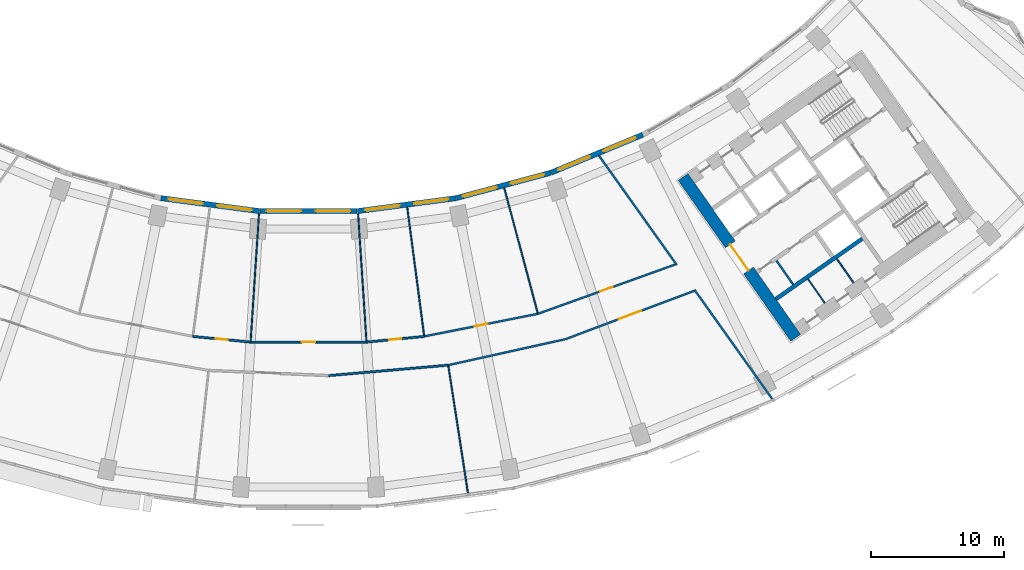
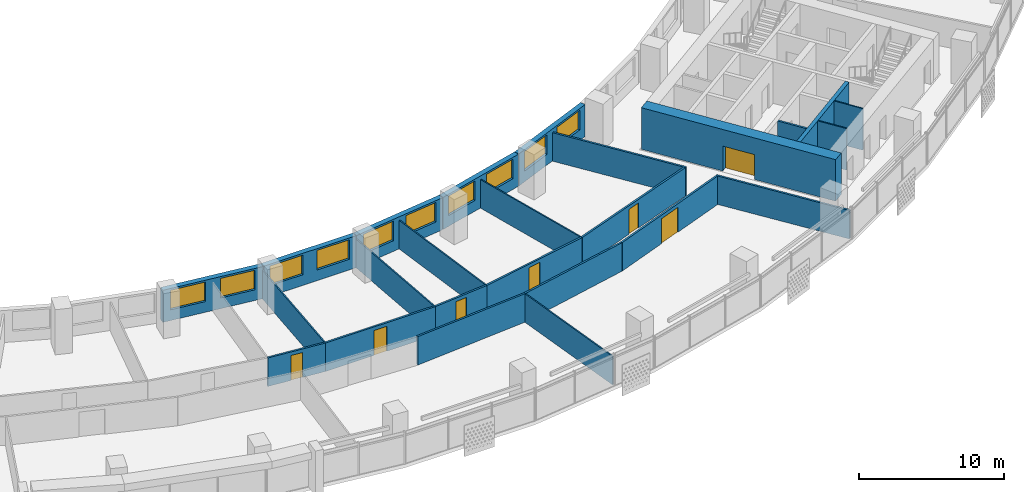
# One storey, part 6 of 29: 25 walls, 10 windows, 7 doors, 17 openings.
"""IFC4 building model written with IfcOpenShell, lengths in metres."""

from ifc_helpers import new_model, si_unit, direction, frame, frame_2d, origin, place, context, subcontext, project, spatial, rectangle, extrude, material, layer, layer_set, type_object, element, fill, save


model = new_model("IFC4")

# Units and contexts
model_context = context("Model", 3, precision=1e-05, world=origin(), true_north=direction((0.0, 1.0)))
body_context = subcontext(model_context, "Body", "Model", "MODEL_VIEW")
ifc_project = project(units=[si_unit("LENGTHUNIT", "METRE"), si_unit("AREAUNIT", "SQUARE_METRE"), si_unit("VOLUMEUNIT", "CUBIC_METRE"), si_unit("PLANEANGLEUNIT", "RADIAN"), si_unit("MASSUNIT", "GRAM", prefix="KILO")], contexts=[model_context])

# Site, building, storey
site_placement = place(None, origin())
site = spatial("IfcSite", under=ifc_project, at=site_placement, CompositionType="ELEMENT")
building_placement = place(site_placement, origin())
building = spatial("IfcBuilding", under=site, at=building_placement, Name="Qamariyya Broadcast Tower", CompositionType="ELEMENT")
storey_placement = place(building_placement, frame((0.0, 0.0, 106.300048828125)))
storey = spatial("IfcBuildingStorey", under=building, at=storey_placement, Name="L23", CompositionType="ELEMENT", Elevation=106.300048828125)

# Wall, opening, door
ifc_material_1 = material(Name="Concrete C70/85", Category="concrete")
ifc_layer_1 = layer(ifc_material_1, 0.89990234375)
ifc_layer_set_1 = layer_set([ifc_layer_1], Name="Core wall 900 mm Concrete C70/85")
wall_type_1 = type_object("IfcWallType", Name="Core wall 900 mm Concrete C70/85", PredefinedType="SHEAR", material=ifc_layer_set_1)
wall_1_placement = place(storey_placement, frame((36.716796875, -66.3369140625, 0.0), z_axis=(0.0, 0.0, 1.0), x_axis=(-0.573577477574, 0.819151315216, 0.0)))
wall_1 = element("IfcWall", 1, at=wall_1_placement, inside=storey, type_object=wall_type_1, Name="k-E-L23-WA", PredefinedType="SHEAR", context=body_context, shape_type="SweptSolid", body=[
    extrude(rectangle(XDim=14.800048828125, YDim=0.89990234375, at=frame_2d((7.39990234375, 0.0))), origin(), (0.0, 0.0, 1.0), 3.5),
])
opening_1_placement = place(wall_1_placement, frame((6.199951171875, 0.0, 0.0)))
opening_1 = element("IfcOpeningElement", 2, at=opening_1_placement, cuts=wall_1, Name="Opening KD3-E1", PredefinedType="OPENING", context=body_context, shape_type="SweptSolid", body=[
    extrude(rectangle(XDim=2.39990234375, YDim=2.10009765625, at=frame_2d((1.199951171875, 1.050048828125))), frame((0.0, 0.4599609375, 0.0), z_axis=(0.0, -1.0, 0.0), x_axis=(1.0, 0.0, 0.0)), (0.0, 0.0, 1.0), 0.919921875),
])
ifc_material_2 = material(Name="Steel fire-resisting door leaf", Category="steel")
door_type_1 = type_object("IfcDoorType", Name="Lift lobby door KD3", OperationType="DOUBLE_DOOR_SINGLE_SWING", PredefinedType="DOOR", material=ifc_material_2)
door_1_placement = place(opening_1_placement, origin())
door_1 = element("IfcDoor", 3, at=door_1_placement, inside=storey, type_object=door_type_1, Name="k-E-L23-WA-D1", OperationType="DOUBLE_DOOR_SINGLE_SWING", OverallHeight=2.10009765625, OverallWidth=2.39990234375, PredefinedType="DOOR", context=body_context, shape_type="SweptSolid", body=[
    extrude(rectangle(XDim=2.39990234375, YDim=2.10009765625, at=frame_2d((1.199951171875, 1.050048828125))), frame((0.0, 0.02490234375, 0.0), z_axis=(0.0, -1.0, 0.0), x_axis=(1.0, 0.0, 0.0)), (0.0, 0.0, 1.0), 0.050048828125),
])
fill(opening_1, door_1)

ifc_material_3 = material(Name="Gypsum board partition")
ifc_layer_2 = layer(ifc_material_3, 0.14990234375)
ifc_layer_set_2 = layer_set([ifc_layer_2], Name="Corridor partition 150 EI 60")
wall_type_2 = type_object("IfcWallType", Name="Corridor partition 150 EI 60", PredefinedType="PARTITIONING", material=ifc_layer_set_2)
wall_2_placement = place(storey_placement, frame((-8.71923828125, -66.228515625, 0.0), z_axis=(0.0, 0.0, 1.0), x_axis=(0.995184826457, -0.098016127192, 0.0)))
wall_2 = element("IfcWall", 4, at=wall_2_placement, inside=storey, type_object=wall_type_2, Name="Partition L23-011", PredefinedType="PARTITIONING", context=body_context, shape_type="SweptSolid", body=[
    extrude(rectangle(XDim=4.371337890625, YDim=0.14990234375, at=frame_2d((2.185546875, 0.0))), origin(), (0.0, 0.0, 1.0), 2.39990234375),
])
opening_2_placement = place(wall_2_placement, frame((1.735595703125, 0.0, 0.0)))
opening_2 = element("IfcOpeningElement", 5, at=opening_2_placement, cuts=wall_2, Name="Opening L23-D07", PredefinedType="OPENING", context=body_context, shape_type="SweptSolid", body=[
    extrude(rectangle(XDim=0.89990234375, YDim=2.10009765625, at=frame_2d((0.449951171875, 1.050048828125))), frame((0.0, 0.0849609375, 0.0), z_axis=(0.0, -1.0, 0.0), x_axis=(1.0, 0.0, 0.0)), (0.0, 0.0, 1.0), 0.169921875),
])
ifc_material_4 = material(Name="Timber fire door leaf", Category="wood")
door_type_2 = type_object("IfcDoorType", Name="Fire door 900 x 2100 FD60", OperationType="NOTDEFINED", PredefinedType="DOOR", material=ifc_material_4)
door_2_placement = place(opening_2_placement, origin())
door_2 = element("IfcDoor", 6, at=door_2_placement, inside=storey, type_object=door_type_2, Name="Door L23-D07", OperationType="SINGLE_SWING_RIGHT", OverallHeight=2.10009765625, OverallWidth=0.89990234375, PredefinedType="DOOR", context=body_context, shape_type="SweptSolid", body=[
    extrude(rectangle(XDim=0.89990234375, YDim=2.10009765625, at=frame_2d((0.449951171875, 1.050048828125))), frame((0.0, 0.02490234375, 0.0), z_axis=(0.0, -1.0, 0.0), x_axis=(1.0, 0.0, 0.0)), (0.0, 0.0, 1.0), 0.050048828125),
])
fill(opening_2, door_2)

wall_3_placement = place(storey_placement, frame((-4.368896484375, -66.656982421875, 0.0), z_axis=(0.0, 0.0, 1.0), x_axis=(1.0, 0.0, 0.0)))
wall_3 = element("IfcWall", 7, at=wall_3_placement, inside=storey, type_object=wall_type_2, Name="Partition L23-015", PredefinedType="PARTITIONING", context=body_context, shape_type="SweptSolid", body=[
    extrude(rectangle(XDim=8.73779296875, YDim=0.14990234375, at=frame_2d((4.368896484375, 0.0))), origin(), (0.0, 0.0, 1.0), 2.39990234375),
])
opening_3_placement = place(wall_3_placement, frame((3.868896484375, 0.0, 0.0)))
opening_3 = element("IfcOpeningElement", 8, at=opening_3_placement, cuts=wall_3, Name="Opening L23-D08", PredefinedType="OPENING", context=body_context, shape_type="SweptSolid", body=[
    extrude(rectangle(XDim=1.0, YDim=2.10009765625, at=frame_2d((0.5, 1.050048828125))), frame((0.0, 0.0849609375, 0.0), z_axis=(0.0, -1.0, 0.0), x_axis=(1.0, 0.0, 0.0)), (0.0, 0.0, 1.0), 0.169921875),
])
door_type_3 = type_object("IfcDoorType", Name="Fire door 1000 x 2100 FD60", OperationType="NOTDEFINED", PredefinedType="DOOR", material=ifc_material_4)
door_3_placement = place(opening_3_placement, origin())
door_3 = element("IfcDoor", 9, at=door_3_placement, inside=storey, type_object=door_type_3, Name="Door L23-D08", OperationType="SINGLE_SWING_RIGHT", OverallHeight=2.10009765625, OverallWidth=1.0, PredefinedType="DOOR", context=body_context, shape_type="SweptSolid", body=[
    extrude(rectangle(XDim=1.0, YDim=2.10009765625, at=frame_2d((0.5, 1.050048828125))), frame((0.0, 0.02490234375, 0.0), z_axis=(0.0, -1.0, 0.0), x_axis=(1.0, 0.0, 0.0)), (0.0, 0.0, 1.0), 0.050048828125),
])
fill(opening_3, door_3)

# Wall
wall_4_placement = place(storey_placement, frame((1.519287109375, -69.182861328125, 0.0), z_axis=(0.0, 0.0, 1.0), x_axis=(0.996191402343, 0.087193405131, 0.0)))
element("IfcWall", 10, at=wall_4_placement, inside=storey, type_object=wall_type_2, Name="Partition L23-017", PredefinedType="PARTITIONING", context=body_context, shape_type="SweptSolid", body=[
    extrude(rectangle(XDim=9.0439453125, YDim=0.14990234375, at=frame_2d((4.52197265625, 0.0))), origin(), (0.0, 0.0, 1.0), 2.39990234375),
])

# Wall, opening, door
wall_5_placement = place(storey_placement, frame((4.368896484375, -66.656982421875, 0.0), z_axis=(0.0, 0.0, 1.0), x_axis=(0.995184826457, 0.098016127192, 0.0)))
wall_5 = element("IfcWall", 11, at=wall_5_placement, inside=storey, type_object=wall_type_2, Name="Partition L23-019", PredefinedType="PARTITIONING", context=body_context, shape_type="SweptSolid", body=[
    extrude(rectangle(XDim=4.371337890625, YDim=0.14990234375, at=frame_2d((2.185546875, 0.0))), origin(), (0.0, 0.0, 1.0), 2.39990234375),
])
opening_4_placement = place(wall_5_placement, frame((1.735595703125, 0.0, 0.0)))
opening_4 = element("IfcOpeningElement", 12, at=opening_4_placement, cuts=wall_5, Name="Opening L23-D09", PredefinedType="OPENING", context=body_context, shape_type="SweptSolid", body=[
    extrude(rectangle(XDim=0.89990234375, YDim=2.10009765625, at=frame_2d((0.449951171875, 1.050048828125))), frame((0.0, 0.0849609375, 0.0), z_axis=(0.0, -1.0, 0.0), x_axis=(1.0, 0.0, 0.0)), (0.0, 0.0, 1.0), 0.169921875),
])
door_4_placement = place(opening_4_placement, origin())
door_4 = element("IfcDoor", 13, at=door_4_placement, inside=storey, type_object=door_type_2, Name="Door L23-D09", OperationType="SINGLE_SWING_RIGHT", OverallHeight=2.10009765625, OverallWidth=0.89990234375, PredefinedType="DOOR", context=body_context, shape_type="SweptSolid", body=[
    extrude(rectangle(XDim=0.89990234375, YDim=2.10009765625, at=frame_2d((0.449951171875, 1.050048828125))), frame((0.0, 0.02490234375, 0.0), z_axis=(0.0, -1.0, 0.0), x_axis=(1.0, 0.0, 0.0)), (0.0, 0.0, 1.0), 0.050048828125),
])
fill(opening_4, door_4)

wall_6_placement = place(storey_placement, frame((8.71923828125, -66.228515625, 0.0), z_axis=(0.0, 0.0, 1.0), x_axis=(0.980786466832, 0.195084357342, 0.0)))
wall_6 = element("IfcWall", 14, at=wall_6_placement, inside=storey, type_object=wall_type_2, Name="Partition L23-021", PredefinedType="PARTITIONING", context=body_context, shape_type="SweptSolid", body=[
    extrude(rectangle(XDim=8.73779296875, YDim=0.14990234375, at=frame_2d((4.368896484375, 0.0))), origin(), (0.0, 0.0, 1.0), 2.39990234375),
])
opening_5_placement = place(wall_6_placement, frame((3.868896484375, 0.0, 0.0)))
opening_5 = element("IfcOpeningElement", 15, at=opening_5_placement, cuts=wall_6, Name="Opening L23-D10", PredefinedType="OPENING", context=body_context, shape_type="SweptSolid", body=[
    extrude(rectangle(XDim=1.0, YDim=2.10009765625, at=frame_2d((0.5, 1.050048828125))), frame((0.0, 0.0849609375, 0.0), z_axis=(0.0, -1.0, 0.0), x_axis=(1.0, 0.0, 0.0)), (0.0, 0.0, 1.0), 0.169921875),
])
door_5_placement = place(opening_5_placement, origin())
door_5 = element("IfcDoor", 16, at=door_5_placement, inside=storey, type_object=door_type_3, Name="Door L23-D10", OperationType="SINGLE_SWING_RIGHT", OverallHeight=2.10009765625, OverallWidth=1.0, PredefinedType="DOOR", context=body_context, shape_type="SweptSolid", body=[
    extrude(rectangle(XDim=1.0, YDim=2.10009765625, at=frame_2d((0.5, 1.050048828125))), frame((0.0, 0.02490234375, 0.0), z_axis=(0.0, -1.0, 0.0), x_axis=(1.0, 0.0, 0.0)), (0.0, 0.0, 1.0), 0.050048828125),
])
fill(opening_5, door_5)

# Wall
wall_7_placement = place(storey_placement, frame((10.52880859375, -68.394287109375, 0.0), z_axis=(0.0, 0.0, 1.0), x_axis=(0.97629238904, 0.216455933396, 0.0)))
element("IfcWall", 17, at=wall_7_placement, inside=storey, type_object=wall_type_2, Name="Partition L23-022", PredefinedType="PARTITIONING", context=body_context, shape_type="SweptSolid", body=[
    extrude(rectangle(XDim=9.04345703125, YDim=0.14990234375, at=frame_2d((4.521728515625, 0.0))), origin(), (0.0, 0.0, 1.0), 2.39990234375),
])

# Wall, opening, door
wall_8_placement = place(storey_placement, frame((17.2890625, -64.52392578125, 0.0), z_axis=(0.0, 0.0, 1.0), x_axis=(0.941150861554, 0.337986768669, 0.0)))
wall_8 = element("IfcWall", 18, at=wall_8_placement, inside=storey, type_object=wall_type_2, Name="Partition L23-025", PredefinedType="PARTITIONING", context=body_context, shape_type="SweptSolid", body=[
    extrude(rectangle(XDim=10.998291015625, YDim=0.14990234375, at=frame_2d((5.4990234375, 0.0))), origin(), (0.0, 0.0, 1.0), 2.39990234375),
])
opening_6_placement = place(wall_8_placement, frame((4.9990234375, 0.0, 0.0)))
opening_6 = element("IfcOpeningElement", 19, at=opening_6_placement, cuts=wall_8, Name="Opening L23-D11", PredefinedType="OPENING", context=body_context, shape_type="SweptSolid", body=[
    extrude(rectangle(XDim=1.0, YDim=2.10009765625, at=frame_2d((0.5, 1.050048828125))), frame((0.0, 0.0849609375, 0.0), z_axis=(0.0, -1.0, 0.0), x_axis=(1.0, 0.0, 0.0)), (0.0, 0.0, 1.0), 0.169921875),
])
door_6_placement = place(opening_6_placement, origin())
door_6 = element("IfcDoor", 20, at=door_6_placement, inside=storey, type_object=door_type_3, Name="Door L23-D11", OperationType="SINGLE_SWING_RIGHT", OverallHeight=2.10009765625, OverallWidth=1.0, PredefinedType="DOOR", context=body_context, shape_type="SweptSolid", body=[
    extrude(rectangle(XDim=1.0, YDim=2.10009765625, at=frame_2d((0.5, 1.050048828125))), frame((0.0, 0.02490234375, 0.0), z_axis=(0.0, -1.0, 0.0), x_axis=(1.0, 0.0, 0.0)), (0.0, 0.0, 1.0), 0.050048828125),
])
fill(opening_6, door_6)

wall_9_placement = place(storey_placement, frame((29.057373046875, -62.797607421875, 0.0), z_axis=(0.0, 0.0, 1.0), x_axis=(-0.936236021316, -0.351371758101, 0.0)))
wall_9 = element("IfcWall", 21, at=wall_9_placement, inside=storey, type_object=wall_type_2, Name="Partition L23-026", PredefinedType="PARTITIONING", context=body_context, shape_type="SweptSolid", body=[
    extrude(rectangle(XDim=10.343017578125, YDim=0.14990234375, at=frame_2d((5.17138671875, 0.0))), origin(), (0.0, 0.0, 1.0), 2.39990234375),
])
opening_7_placement = place(wall_9_placement, frame((4.271484375, 0.0, 0.0)))
opening_7 = element("IfcOpeningElement", 22, at=opening_7_placement, cuts=wall_9, Name="Opening L23-D04", PredefinedType="OPENING", context=body_context, shape_type="SweptSolid", body=[
    extrude(rectangle(XDim=1.800048828125, YDim=2.10009765625, at=frame_2d((0.89990234375, 1.050048828125))), frame((0.0, 0.0849609375, 0.0), z_axis=(0.0, -1.0, 0.0), x_axis=(1.0, 0.0, 0.0)), (0.0, 0.0, 1.0), 0.169921875),
])
door_type_4 = type_object("IfcDoorType", Name="Double fire door 1800 x 2100 FD60", OperationType="NOTDEFINED", PredefinedType="DOOR", material=ifc_material_4)
door_7_placement = place(opening_7_placement, origin())
door_7 = element("IfcDoor", 23, at=door_7_placement, inside=storey, type_object=door_type_4, Name="Door L23-D04", OperationType="DOUBLE_DOOR_SINGLE_SWING", OverallHeight=2.10009765625, OverallWidth=1.800048828125, PredefinedType="DOOR", context=body_context, shape_type="SweptSolid", body=[
    extrude(rectangle(XDim=1.800048828125, YDim=2.10009765625, at=frame_2d((0.89990234375, 1.050048828125))), frame((0.0, 0.02490234375, 0.0), z_axis=(0.0, -1.0, 0.0), x_axis=(1.0, 0.0, 0.0)), (0.0, 0.0, 1.0), 0.050048828125),
])
fill(opening_7, door_7)

# Walls
wall_10_placement = place(storey_placement, frame((21.8837890625, -52.59765625, 0.0), z_axis=(0.0, 0.0, 1.0), x_axis=(0.580016763963, -0.814604538118, 0.0)))
element("IfcWall", 24, at=wall_10_placement, inside=storey, type_object=wall_type_2, Name="Partition L23-027", PredefinedType="PARTITIONING", context=body_context, shape_type="SweptSolid", body=[
    extrude(rectangle(XDim=10.12109375, YDim=0.14990234375, at=frame_2d((5.060546875, 0.0))), origin(), (0.0, 0.0, 1.0), 2.39990234375),
])
wall_11_placement = place(storey_placement, frame((29.083984375, -62.710205078125, 0.0), z_axis=(0.0, 0.0, 1.0), x_axis=(0.580031092611, -0.814594335608, 0.0)))
element("IfcWall", 25, at=wall_11_placement, inside=storey, type_object=wall_type_2, Name="Partition L23-028", PredefinedType="PARTITIONING", context=body_context, shape_type="SweptSolid", body=[
    extrude(rectangle(XDim=10.126220703125, YDim=0.14990234375, at=frame_2d((5.06298828125, 0.0))), origin(), (0.0, 0.0, 1.0), 2.39990234375),
])
ifc_material_5 = material(Name="Gypsum board partition on steel studs", Category="steel")
ifc_layer_3 = layer(ifc_material_5, 0.14990234375)
ifc_layer_set_3 = layer_set([ifc_layer_3], Name="Gypsum board partition 150 mm")
wall_type_3 = type_object("IfcWallType", Name="Gypsum board partition 150 mm", PredefinedType="PARTITIONING", material=ifc_layer_set_3)
wall_12_placement = place(storey_placement, frame((35.26611328125, -60.5166015625, 0.0), z_axis=(0.0, 0.0, 1.0), x_axis=(0.573559170999, -0.819164133348, 0.0)))
element("IfcWall", 26, at=wall_12_placement, inside=storey, type_object=wall_type_3, Name="k-E-L23-SC170", PredefinedType="PARTITIONING", context=body_context, shape_type="SweptSolid", body=[
    extrude(rectangle(XDim=2.19970703125, YDim=0.14990234375, at=frame_2d((1.099853515625, 0.0))), origin(), (0.0, 0.0, 1.0), 3.5),
])
ifc_material_6 = material(Name="Concrete C60/75", Category="concrete")
ifc_layer_4 = layer(ifc_material_6, 0.300048828125)
ifc_layer_set_4 = layer_set([ifc_layer_4], Name="Lift shaft wall 300 mm Concrete C60/75")
wall_type_4 = type_object("IfcWallType", Name="Lift shaft wall 300 mm Concrete C60/75", PredefinedType="SOLIDWALL", material=ifc_layer_set_4)
wall_13_placement = place(storey_placement, frame((35.22119140625, -63.41650390625, 0.0), z_axis=(0.0, 0.0, 1.0), x_axis=(0.819166993208, 0.573555086491, 0.0)))
element("IfcWall", 27, at=wall_13_placement, inside=storey, type_object=wall_type_4, Name="k-E-L23-SB0", PredefinedType="SOLIDWALL", context=body_context, shape_type="SweptSolid", body=[
    extrude(rectangle(XDim=7.9501953125, YDim=0.300048828125, at=frame_2d((3.97509765625, 0.0))), origin(), (0.0, 0.0, 1.0), 3.5),
])
ifc_layer_5 = layer(ifc_material_3, 0.10009765625)
ifc_layer_set_5 = layer_set([ifc_layer_5], Name="Partition 100")
wall_type_5 = type_object("IfcWallType", Name="Partition 100", PredefinedType="PARTITIONING", material=ifc_layer_set_5)
for number, where, z_axis, x_axis, name in (
    (28, (-3.734619140625, -56.977783203125, 0.0), (0.0, 0.0, 1.0), (-0.065392665599, -0.997859609006, 0.0), "Partition L23-016"),
    (29, (3.734619140625, -56.977783203125, 0.0), (0.0, 0.0, 1.0), (0.065392665599, -0.997859609006, 0.0), "Partition L23-018"),
):
    element("IfcWall", number, at=place(storey_placement, frame(where, z_axis=z_axis, x_axis=x_axis)), inside=storey, type_object=wall_type_5, Name=name, PredefinedType="PARTITIONING", context=body_context, shape_type="SweptSolid", body=[
        extrude(rectangle(XDim=9.624755859375, YDim=0.10009765625, at=frame_2d((4.8125, 0.0))), origin(), (0.0, 0.0, 1.0), 2.39990234375),
    ])
wall_14_placement = place(storey_placement, frame((7.437255859375, -56.4912109375, 0.0), z_axis=(0.0, 0.0, 1.0), x_axis=(0.13053421433, -0.99144380521, 0.0)))
element("IfcWall", 30, at=wall_14_placement, inside=storey, type_object=wall_type_5, Name="Partition L23-020", PredefinedType="PARTITIONING", context=body_context, shape_type="SweptSolid", body=[
    extrude(rectangle(XDim=9.746337890625, YDim=0.10009765625, at=frame_2d((4.873046875, 0.0))), origin(), (0.0, 0.0, 1.0), 2.39990234375),
])
wall_15_placement = place(storey_placement, frame((12.01220703125, -78.030029296875, 0.0), z_axis=(0.0, 0.0, 1.0), x_axis=(-0.152150105958, 0.988357397532, 0.0)))
element("IfcWall", 31, at=wall_15_placement, inside=storey, type_object=wall_type_5, Name="Partition L23-023", PredefinedType="PARTITIONING", context=body_context, shape_type="SweptSolid", body=[
    extrude(rectangle(XDim=9.674072265625, YDim=0.10009765625, at=frame_2d((4.8369140625, 0.0))), origin(), (0.0, 0.0, 1.0), 2.39990234375),
])
wall_16_placement = place(storey_placement, frame((14.7470703125, -55.037109375, 0.0), z_axis=(0.0, 0.0, 1.0), x_axis=(0.258833329344, -0.965921998725, 0.0)))
element("IfcWall", 32, at=wall_16_placement, inside=storey, type_object=wall_type_5, Name="Partition L23-024", PredefinedType="PARTITIONING", context=body_context, shape_type="SweptSolid", body=[
    extrude(rectangle(XDim=9.746337890625, YDim=0.10009765625, at=frame_2d((4.873046875, 0.0))), origin(), (0.0, 0.0, 1.0), 2.39990234375),
])
ifc_material_7 = material(Name="Fire-rated gypsum shaft liner on steel studs", Category="steel")
ifc_layer_6 = layer(ifc_material_7, 0.10009765625)
ifc_layer_set_6 = layer_set([ifc_layer_6], Name="Riser wall 100 mm")
wall_type_6 = type_object("IfcWallType", Name="Riser wall 100 mm", PredefinedType="PLUMBINGWALL", material=ifc_layer_set_6)
wall_17_placement = place(storey_placement, frame((37.64208984375, -61.90478515625, 0.0), z_axis=(0.0, 0.0, 1.0), x_axis=(0.573507030513, -0.819200638399, 0.0)))
element("IfcWall", 33, at=wall_17_placement, inside=storey, type_object=wall_type_6, Name="k-E-L23-SP285", PredefinedType="PLUMBINGWALL", context=body_context, shape_type="SweptSolid", body=[
    extrude(rectangle(XDim=2.199951171875, YDim=0.10009765625, at=frame_2d((1.10009765625, 0.0))), origin(), (0.0, 0.0, 1.0), 3.5),
])
wall_18_placement = place(storey_placement, frame((39.812744140625, -60.384765625, 0.0), z_axis=(0.0, 0.0, 1.0), x_axis=(0.573581496053, -0.819148501424, 0.0)))
element("IfcWall", 34, at=wall_18_placement, inside=storey, type_object=wall_type_6, Name="k-E-L23-SP550", PredefinedType="PLUMBINGWALL", context=body_context, shape_type="SweptSolid", body=[
    extrude(rectangle(XDim=2.2001953125, YDim=0.10009765625, at=frame_2d((1.10009765625, 0.0))), origin(), (0.0, 0.0, 1.0), 3.5),
])

# Wall, openings, windows
ifc_material_8 = material(Name="Terracotta", Category="masonry")
ifc_layer_7 = layer(ifc_material_8, 0.39990234375)
ifc_layer_set_7 = layer_set([ifc_layer_7], Name="Terracotta clad wall 400")
wall_type_7 = type_object("IfcWallType", Name="Terracotta clad wall 400", PredefinedType="SOLIDWALL", material=ifc_layer_set_7)
wall_19_placement = place(storey_placement, frame((11.12548828125, -55.803955078125, 0.0), z_axis=(0.0, 0.0, 1.0), x_axis=(-0.991444533306, -0.130528684121, 0.0)))
wall_19 = element("IfcWall", 35, at=wall_19_placement, inside=storey, type_object=wall_type_7, Name="e-wl-L23-in100", PredefinedType="SOLIDWALL", context=body_context, shape_type="SweptSolid", body=[
    extrude(rectangle(XDim=7.492919921875, YDim=0.39990234375, at=frame_2d((3.74658203125, 0.0))), origin(), (0.0, 0.0, 1.0), 2.699951171875),
])
opening_8_placement = place(wall_19_placement, frame((4.300537109375, 0.0, 0.89990234375)))
opening_8 = element("IfcOpeningElement", 36, at=opening_8_placement, cuts=wall_19, Name="Opening W1", PredefinedType="OPENING", context=body_context, shape_type="SweptSolid", body=[
    extrude(rectangle(XDim=2.60009765625, YDim=1.64990234375, at=frame_2d((1.300048828125, 0.824951171875))), frame((0.0, 0.2099609375, 0.0), z_axis=(0.0, -1.0, 0.0), x_axis=(1.0, 0.0, 0.0)), (0.0, 0.0, 1.0), 0.419921875),
])
opening_9_placement = place(wall_19_placement, frame((0.59228515625, 0.0, 0.89990234375)))
opening_9 = element("IfcOpeningElement", 37, at=opening_9_placement, cuts=wall_19, Name="Opening W1", PredefinedType="OPENING", context=body_context, shape_type="SweptSolid", body=[
    extrude(rectangle(XDim=2.60009765625, YDim=1.64990234375, at=frame_2d((1.300048828125, 0.824951171875))), frame((0.0, 0.2099609375, 0.0), z_axis=(0.0, -1.0, 0.0), x_axis=(1.0, 0.0, 0.0)), (0.0, 0.0, 1.0), 0.419921875),
])
ifc_material_9 = material(Name="Clear low-e double glazed unit in aluminium frame", Category="aluminium")
window_type = type_object("IfcWindowType", Name="Ribbon window 2600 x 1650", PartitioningType="SINGLE_PANEL", PredefinedType="WINDOW", material=ifc_material_9)
window_1_placement = place(opening_8_placement, origin())
window_1 = element("IfcWindow", 38, at=window_1_placement, inside=storey, type_object=window_type, Name="e-w-L23-in10-0", OverallHeight=1.64990234375, OverallWidth=2.60009765625, PartitioningType="SINGLE_PANEL", PredefinedType="WINDOW", context=body_context, shape_type="SweptSolid", body=[
    extrude(rectangle(XDim=2.60009765625, YDim=1.64990234375, at=frame_2d((1.300048828125, 0.824951171875))), frame((0.0, 0.030029296875, 0.0), z_axis=(0.0, -1.0, 0.0), x_axis=(1.0, 0.0, 0.0)), (0.0, 0.0, 1.0), 0.06005859375),
])
fill(opening_8, window_1)
window_2_placement = place(opening_9_placement, origin())
window_2 = element("IfcWindow", 39, at=window_2_placement, inside=storey, type_object=window_type, Name="e-w-L23-in10-1", OverallHeight=1.64990234375, OverallWidth=2.60009765625, PartitioningType="SINGLE_PANEL", PredefinedType="WINDOW", context=body_context, shape_type="SweptSolid", body=[
    extrude(rectangle(XDim=2.60009765625, YDim=1.64990234375, at=frame_2d((1.300048828125, 0.824951171875))), frame((0.0, 0.030029296875, 0.0), z_axis=(0.0, -1.0, 0.0), x_axis=(1.0, 0.0, 0.0)), (0.0, 0.0, 1.0), 0.06005859375),
])
fill(opening_9, window_2)

wall_20_placement = place(storey_placement, frame((18.240966796875, -53.893798828125, 0.0), z_axis=(0.0, 0.0, 1.0), x_axis=(-0.965924597867, -0.258823629594, 0.0)))
wall_20 = element("IfcWall", 40, at=wall_20_placement, inside=storey, type_object=wall_type_7, Name="e-wl-L23-in110", PredefinedType="SOLIDWALL", context=body_context, shape_type="SweptSolid", body=[
    extrude(rectangle(XDim=7.341552734375, YDim=0.39990234375, at=frame_2d((3.6708984375, 0.0))), origin(), (0.0, 0.0, 1.0), 2.699951171875),
])
opening_10_placement = place(wall_20_placement, frame((4.224853515625, 0.0, 0.89990234375)))
opening_10 = element("IfcOpeningElement", 41, at=opening_10_placement, cuts=wall_20, Name="Opening W1", PredefinedType="OPENING", context=body_context, shape_type="SweptSolid", body=[
    extrude(rectangle(XDim=2.60009765625, YDim=1.64990234375, at=frame_2d((1.300048828125, 0.824951171875))), frame((0.0, 0.2099609375, 0.0), z_axis=(0.0, -1.0, 0.0), x_axis=(1.0, 0.0, 0.0)), (0.0, 0.0, 1.0), 0.419921875),
])
opening_11_placement = place(wall_20_placement, frame((0.5166015625, 0.0, 0.89990234375)))
opening_11 = element("IfcOpeningElement", 42, at=opening_11_placement, cuts=wall_20, Name="Opening W1", PredefinedType="OPENING", context=body_context, shape_type="SweptSolid", body=[
    extrude(rectangle(XDim=2.60009765625, YDim=1.64990234375, at=frame_2d((1.300048828125, 0.824951171875))), frame((0.0, 0.2099609375, 0.0), z_axis=(0.0, -1.0, 0.0), x_axis=(1.0, 0.0, 0.0)), (0.0, 0.0, 1.0), 0.419921875),
])
window_3_placement = place(opening_10_placement, origin())
window_3 = element("IfcWindow", 43, at=window_3_placement, inside=storey, type_object=window_type, Name="e-w-L23-in11-0", OverallHeight=1.64990234375, OverallWidth=2.60009765625, PartitioningType="SINGLE_PANEL", PredefinedType="WINDOW", context=body_context, shape_type="SweptSolid", body=[
    extrude(rectangle(XDim=2.60009765625, YDim=1.64990234375, at=frame_2d((1.300048828125, 0.824951171875))), frame((0.0, 0.030029296875, 0.0), z_axis=(0.0, -1.0, 0.0), x_axis=(1.0, 0.0, 0.0)), (0.0, 0.0, 1.0), 0.06005859375),
])
fill(opening_10, window_3)
window_4_placement = place(opening_11_placement, origin())
window_4 = element("IfcWindow", 44, at=window_4_placement, inside=storey, type_object=window_type, Name="e-w-L23-in11-1", OverallHeight=1.64990234375, OverallWidth=2.60009765625, PartitioningType="SINGLE_PANEL", PredefinedType="WINDOW", context=body_context, shape_type="SweptSolid", body=[
    extrude(rectangle(XDim=2.60009765625, YDim=1.64990234375, at=frame_2d((1.300048828125, 0.824951171875))), frame((0.0, 0.030029296875, 0.0), z_axis=(0.0, -1.0, 0.0), x_axis=(1.0, 0.0, 0.0)), (0.0, 0.0, 1.0), 0.06005859375),
])
fill(opening_11, window_4)

wall_21_placement = place(storey_placement, frame((25.189453125, -51.02294921875, 0.0), z_axis=(0.0, 0.0, 1.0), x_axis=(-0.923879826967, -0.382682721486, 0.0)))
wall_21 = element("IfcWall", 45, at=wall_21_placement, inside=storey, type_object=wall_type_7, Name="e-wl-L23-in120", PredefinedType="SOLIDWALL", context=body_context, shape_type="SweptSolid", body=[
    extrude(rectangle(XDim=7.492919921875, YDim=0.39990234375, at=frame_2d((3.74658203125, 0.0))), origin(), (0.0, 0.0, 1.0), 2.699951171875),
])
opening_12_placement = place(wall_21_placement, frame((4.300537109375, 0.0, 0.89990234375)))
opening_12 = element("IfcOpeningElement", 46, at=opening_12_placement, cuts=wall_21, Name="Opening W1", PredefinedType="OPENING", context=body_context, shape_type="SweptSolid", body=[
    extrude(rectangle(XDim=2.60009765625, YDim=1.64990234375, at=frame_2d((1.300048828125, 0.824951171875))), frame((0.0, 0.2099609375, 0.0), z_axis=(0.0, -1.0, 0.0), x_axis=(1.0, 0.0, 0.0)), (0.0, 0.0, 1.0), 0.419921875),
])
opening_13_placement = place(wall_21_placement, frame((0.59228515625, 0.0, 0.89990234375)))
opening_13 = element("IfcOpeningElement", 47, at=opening_13_placement, cuts=wall_21, Name="Opening W1", PredefinedType="OPENING", context=body_context, shape_type="SweptSolid", body=[
    extrude(rectangle(XDim=2.60009765625, YDim=1.64990234375, at=frame_2d((1.300048828125, 0.824951171875))), frame((0.0, 0.2099609375, 0.0), z_axis=(0.0, -1.0, 0.0), x_axis=(1.0, 0.0, 0.0)), (0.0, 0.0, 1.0), 0.419921875),
])
window_5_placement = place(opening_12_placement, origin())
window_5 = element("IfcWindow", 48, at=window_5_placement, inside=storey, type_object=window_type, Name="e-w-L23-in12-0", OverallHeight=1.64990234375, OverallWidth=2.60009765625, PartitioningType="SINGLE_PANEL", PredefinedType="WINDOW", context=body_context, shape_type="SweptSolid", body=[
    extrude(rectangle(XDim=2.60009765625, YDim=1.64990234375, at=frame_2d((1.300048828125, 0.824951171875))), frame((0.0, 0.030029296875, 0.0), z_axis=(0.0, -1.0, 0.0), x_axis=(1.0, 0.0, 0.0)), (0.0, 0.0, 1.0), 0.06005859375),
])
fill(opening_12, window_5)
window_6_placement = place(opening_13_placement, origin())
window_6 = element("IfcWindow", 49, at=window_6_placement, inside=storey, type_object=window_type, Name="e-w-L23-in12-1", OverallHeight=1.64990234375, OverallWidth=2.60009765625, PartitioningType="SINGLE_PANEL", PredefinedType="WINDOW", context=body_context, shape_type="SweptSolid", body=[
    extrude(rectangle(XDim=2.60009765625, YDim=1.64990234375, at=frame_2d((1.300048828125, 0.824951171875))), frame((0.0, 0.030029296875, 0.0), z_axis=(0.0, -1.0, 0.0), x_axis=(1.0, 0.0, 0.0)), (0.0, 0.0, 1.0), 0.06005859375),
])
fill(opening_13, window_6)

wall_22_placement = place(storey_placement, frame((-3.69677734375, -56.781982421875, 0.0), z_axis=(0.0, 0.0, 1.0), x_axis=(-0.991444533306, 0.130528684121, 0.0)))
wall_22 = element("IfcWall", 50, at=wall_22_placement, inside=storey, type_object=wall_type_7, Name="e-wl-L23-in80", PredefinedType="SOLIDWALL", context=body_context, shape_type="SweptSolid", body=[
    extrude(rectangle(XDim=7.492919921875, YDim=0.39990234375, at=frame_2d((3.74658203125, 0.0))), origin(), (0.0, 0.0, 1.0), 2.699951171875),
])
opening_14_placement = place(wall_22_placement, frame((4.300537109375, 0.0, 0.89990234375)))
opening_14 = element("IfcOpeningElement", 51, at=opening_14_placement, cuts=wall_22, Name="Opening W1", PredefinedType="OPENING", context=body_context, shape_type="SweptSolid", body=[
    extrude(rectangle(XDim=2.60009765625, YDim=1.64990234375, at=frame_2d((1.300048828125, 0.824951171875))), frame((0.0, 0.2099609375, 0.0), z_axis=(0.0, -1.0, 0.0), x_axis=(1.0, 0.0, 0.0)), (0.0, 0.0, 1.0), 0.419921875),
])
opening_15_placement = place(wall_22_placement, frame((0.59228515625, 0.0, 0.89990234375)))
opening_15 = element("IfcOpeningElement", 52, at=opening_15_placement, cuts=wall_22, Name="Opening W1", PredefinedType="OPENING", context=body_context, shape_type="SweptSolid", body=[
    extrude(rectangle(XDim=2.60009765625, YDim=1.64990234375, at=frame_2d((1.300048828125, 0.824951171875))), frame((0.0, 0.2099609375, 0.0), z_axis=(0.0, -1.0, 0.0), x_axis=(1.0, 0.0, 0.0)), (0.0, 0.0, 1.0), 0.419921875),
])
window_7_placement = place(opening_14_placement, origin())
window_7 = element("IfcWindow", 53, at=window_7_placement, inside=storey, type_object=window_type, Name="e-w-L23-in08-0", OverallHeight=1.64990234375, OverallWidth=2.60009765625, PartitioningType="SINGLE_PANEL", PredefinedType="WINDOW", context=body_context, shape_type="SweptSolid", body=[
    extrude(rectangle(XDim=2.60009765625, YDim=1.64990234375, at=frame_2d((1.300048828125, 0.824951171875))), frame((0.0, 0.030029296875, 0.0), z_axis=(0.0, -1.0, 0.0), x_axis=(1.0, 0.0, 0.0)), (0.0, 0.0, 1.0), 0.06005859375),
])
fill(opening_14, window_7)
window_8_placement = place(opening_15_placement, origin())
window_8 = element("IfcWindow", 54, at=window_8_placement, inside=storey, type_object=window_type, Name="e-w-L23-in08-1", OverallHeight=1.64990234375, OverallWidth=2.60009765625, PartitioningType="SINGLE_PANEL", PredefinedType="WINDOW", context=body_context, shape_type="SweptSolid", body=[
    extrude(rectangle(XDim=2.60009765625, YDim=1.64990234375, at=frame_2d((1.300048828125, 0.824951171875))), frame((0.0, 0.030029296875, 0.0), z_axis=(0.0, -1.0, 0.0), x_axis=(1.0, 0.0, 0.0)), (0.0, 0.0, 1.0), 0.06005859375),
])
fill(opening_15, window_8)

wall_23_placement = place(storey_placement, frame((3.670654296875, -56.778564453125, 0.0), z_axis=(0.0, 0.0, 1.0), x_axis=(-1.0, 0.0, 0.0)))
wall_23 = element("IfcWall", 55, at=wall_23_placement, inside=storey, type_object=wall_type_7, Name="e-wl-L23-in90", PredefinedType="SOLIDWALL", context=body_context, shape_type="SweptSolid", body=[
    extrude(rectangle(XDim=7.34130859375, YDim=0.39990234375, at=frame_2d((3.670654296875, 0.0))), origin(), (0.0, 0.0, 1.0), 2.699951171875),
])
opening_16_placement = place(wall_23_placement, frame((4.224853515625, 0.0, 0.89990234375)))
opening_16 = element("IfcOpeningElement", 56, at=opening_16_placement, cuts=wall_23, Name="Opening W1", PredefinedType="OPENING", context=body_context, shape_type="SweptSolid", body=[
    extrude(rectangle(XDim=2.60009765625, YDim=1.64990234375, at=frame_2d((1.300048828125, 0.824951171875))), frame((0.0, 0.2099609375, 0.0), z_axis=(0.0, -1.0, 0.0), x_axis=(1.0, 0.0, 0.0)), (0.0, 0.0, 1.0), 0.419921875),
])
opening_17_placement = place(wall_23_placement, frame((0.5166015625, 0.0, 0.89990234375)))
opening_17 = element("IfcOpeningElement", 57, at=opening_17_placement, cuts=wall_23, Name="Opening W1", PredefinedType="OPENING", context=body_context, shape_type="SweptSolid", body=[
    extrude(rectangle(XDim=2.60009765625, YDim=1.64990234375, at=frame_2d((1.300048828125, 0.824951171875))), frame((0.0, 0.2099609375, 0.0), z_axis=(0.0, -1.0, 0.0), x_axis=(1.0, 0.0, 0.0)), (0.0, 0.0, 1.0), 0.419921875),
])
window_9_placement = place(opening_16_placement, origin())
window_9 = element("IfcWindow", 58, at=window_9_placement, inside=storey, type_object=window_type, Name="e-w-L23-in09-0", OverallHeight=1.64990234375, OverallWidth=2.60009765625, PartitioningType="SINGLE_PANEL", PredefinedType="WINDOW", context=body_context, shape_type="SweptSolid", body=[
    extrude(rectangle(XDim=2.60009765625, YDim=1.64990234375, at=frame_2d((1.300048828125, 0.824951171875))), frame((0.0, 0.030029296875, 0.0), z_axis=(0.0, -1.0, 0.0), x_axis=(1.0, 0.0, 0.0)), (0.0, 0.0, 1.0), 0.06005859375),
])
fill(opening_16, window_9)
window_10_placement = place(opening_17_placement, origin())
window_10 = element("IfcWindow", 59, at=window_10_placement, inside=storey, type_object=window_type, Name="e-w-L23-in09-1", OverallHeight=1.64990234375, OverallWidth=2.60009765625, PartitioningType="SINGLE_PANEL", PredefinedType="WINDOW", context=body_context, shape_type="SweptSolid", body=[
    extrude(rectangle(XDim=2.60009765625, YDim=1.64990234375, at=frame_2d((1.300048828125, 0.824951171875))), frame((0.0, 0.030029296875, 0.0), z_axis=(0.0, -1.0, 0.0), x_axis=(1.0, 0.0, 0.0)), (0.0, 0.0, 1.0), 0.06005859375),
])
fill(opening_17, window_10)

save(model, "model.ifc")
